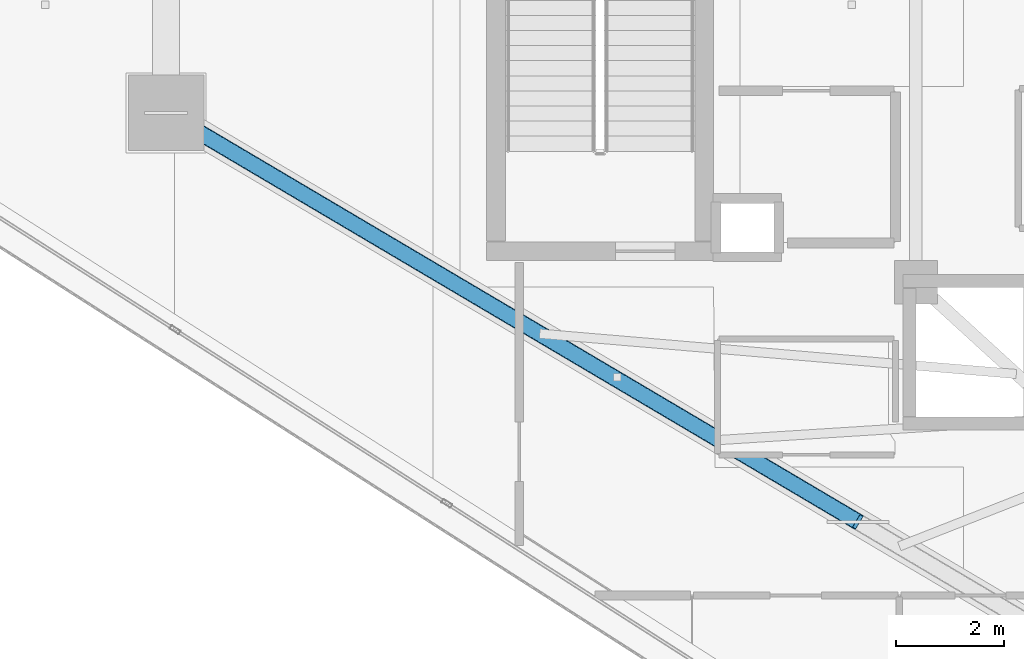
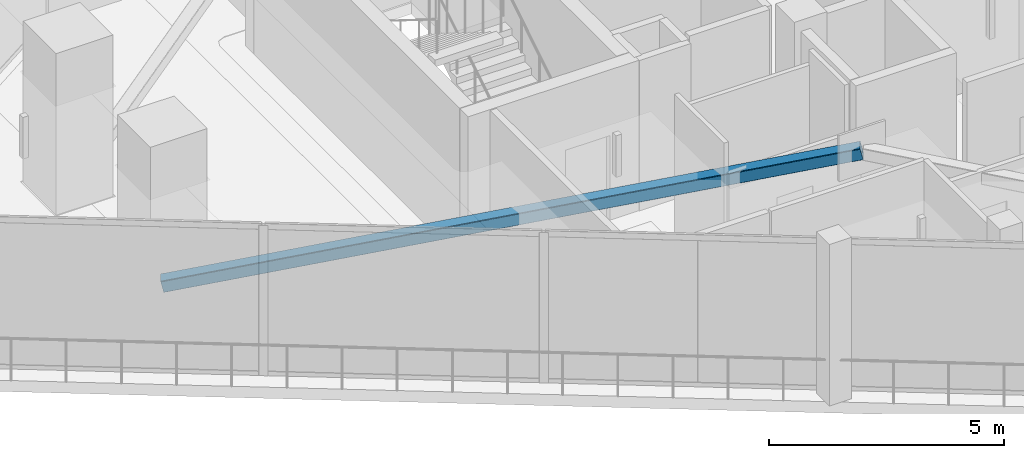
# One storey, part 6 of 30: 1 member.
"""IFC4 building model written with IfcOpenShell, lengths in metres."""

import ifcopenshell
import ifcopenshell.guid

model = None  # the IFC model being written
_history = None  # IfcOwnerHistory: only IFC2X3 demands one
_inside = {}  # id of a spatial element -> (the spatial element, [elements in it])
_under = {}  # id of a project, library or spatial element -> (it, [spatial elements below it])
_declared = {}  # id of a project -> (the project, [libraries it declares])
_typed = {}  # id of a type object -> (the type object, [elements of that type])
_made_of = {}  # id of a material, layer set ... -> (it, [elements and type objects made of it])


def new_model(schema):
    """Start an empty IFC model of exactly this schema.

    Asked for "IFC4X3", IfcOpenShell would pick the latest addendum, in which some entities
    have other attributes; the version numbers below select the first issue.
    IFC2X3 requires an IfcOwnerHistory on every rooted entity: one is made here for all.
    """
    global model, _history
    if schema == "IFC4X3":
        model = ifcopenshell.file(schema_version=(4, 3, 0, 0))
    else:
        model = ifcopenshell.file(schema=schema)
    _inside.clear()
    _under.clear()
    _declared.clear()
    _typed.clear()
    _made_of.clear()
    _history = None
    if model.schema == "IFC2X3":
        org = make("IfcOrganization", Name="unknown")
        user = make(
            "IfcPersonAndOrganization",
            ThePerson=make("IfcPerson", FamilyName="unknown"),
            TheOrganization=org,
        )
        app = make(
            "IfcApplication",
            ApplicationDeveloper=org,
            Version="unknown",
            ApplicationFullName="unknown",
            ApplicationIdentifier="unknown",
        )
        _history = make(
            "IfcOwnerHistory",
            OwningUser=user,
            OwningApplication=app,
            ChangeAction="ADDED",
            CreationDate=0,
        )
    return model


def make(cls, **values):
    """One entity of the class cls with the attributes given. An attribute that is None is left unset."""
    return model.create_entity(
        cls, **{name: value for name, value in values.items() if value is not None}
    )


def rooted(cls, **values):
    """An entity with a GlobalId (a new one), such as an element, a storey or a relation."""
    return make(cls, GlobalId=ifcopenshell.guid.new(), OwnerHistory=_history, **values)


def si_unit(unit_type, name, prefix=None):
    """IfcSIUnit, for example si_unit("LENGTHUNIT", "METRE", prefix="MILLI")."""
    return make("IfcSIUnit", UnitType=unit_type, Prefix=prefix, Name=name)


def assignment(units):
    """IfcUnitAssignment: the units of a project."""
    return None if units is None else make("IfcUnitAssignment", Units=units)


def point(xyz):
    """IfcCartesianPoint."""
    return None if xyz is None else make("IfcCartesianPoint", Coordinates=xyz)


def direction(xyz):
    """IfcDirection."""
    return None if xyz is None else make("IfcDirection", DirectionRatios=xyz)


def frame(location, z_axis=None, x_axis=None):
    """IfcAxis2Placement3D, a coordinate frame: its origin and axes. An axis left out is left unset."""
    return make(
        "IfcAxis2Placement3D",
        Location=point(location),
        Axis=direction(z_axis),
        RefDirection=direction(x_axis),
    )


def frame_2d(location, x_axis=None):
    """IfcAxis2Placement2D, a coordinate frame in the plane: its origin and x axis."""
    return make(
        "IfcAxis2Placement2D", Location=point(location), RefDirection=direction(x_axis)
    )


def origin():
    """The frame at (0, 0, 0) with its axes left unset."""
    return frame((0.0, 0.0, 0.0))


def origin_2d():
    """The frame at (0, 0) in the plane with its x axis left unset."""
    return frame_2d((0.0, 0.0))


def place(relative_to, where):
    """IfcLocalPlacement: puts the frame where relative to a parent placement (None: the world)."""
    return make(
        "IfcLocalPlacement", PlacementRelTo=relative_to, RelativePlacement=where
    )


def context(
    kind, dimensions, precision=None, world=None, true_north=None, identifier=None
):
    """IfcGeometricRepresentationContext, for example the 3D "Model" context."""
    return make(
        "IfcGeometricRepresentationContext",
        ContextIdentifier=identifier,
        ContextType=kind,
        CoordinateSpaceDimension=dimensions,
        Precision=precision,
        WorldCoordinateSystem=world,
        TrueNorth=true_north,
    )


def subcontext(parent, identifier, kind, view, scale=None):
    """IfcGeometricRepresentationSubContext, for example "Body" below "Model"."""
    return make(
        "IfcGeometricRepresentationSubContext",
        ContextIdentifier=identifier,
        ContextType=kind,
        ParentContext=parent,
        TargetScale=scale,
        TargetView=view,
    )


def project(units=None, contexts=None):
    """IfcProject with its units and contexts."""
    return rooted(
        "IfcProject",
        Name="project",
        RepresentationContexts=contexts,
        UnitsInContext=assignment(units),
    )


def spatial(cls, under=None, at=None, **own):
    """A site, building, storey or space (cls), placed at a placement, below another one or the project."""
    s = rooted(cls, ObjectPlacement=at, **own)
    if under is not None:
        _under.setdefault(under.id(), (under, []))[1].append(s)
    return s


def profile(cls, at=None, kind="AREA", **sizes):
    """A parametric profile (cls). Its sizes go by their IFC names, for example OverallWidth=200.0."""
    return make(cls, ProfileType=kind, Position=at, **sizes)


def hollow_rectangle(**sizes):
    """IfcRectangleHollowProfileDef."""
    return profile("IfcRectangleHollowProfileDef", **sizes)


def extrude(swept, where, along, depth):
    """IfcExtrudedAreaSolid: the profile swept, set in the frame where, extruded along a direction by depth."""
    return make(
        "IfcExtrudedAreaSolid",
        SweptArea=swept,
        Position=where,
        ExtrudedDirection=direction(along),
        Depth=depth,
    )


def shape(context_of_items, identifier, shape_type, items):
    """IfcShapeRepresentation: the items that make up one representation, for example the "Body"."""
    return make(
        "IfcShapeRepresentation",
        ContextOfItems=context_of_items,
        RepresentationIdentifier=identifier,
        RepresentationType=shape_type,
        Items=items,
    )


def material(Name=None, Category=None):
    """IfcMaterial."""
    return make("IfcMaterial", Name=Name, Category=Category)


def material_profile(
    of_material, cross_section, Name=None, Category=None, Priority=None
):
    """IfcMaterialProfile: a cross section and its material."""
    return make(
        "IfcMaterialProfile",
        Name=Name,
        Material=of_material,
        Profile=cross_section,
        Priority=Priority,
        Category=Category,
    )


def profile_set(profiles, Name=None, composite=None):
    """IfcMaterialProfileSet."""
    return make(
        "IfcMaterialProfileSet",
        Name=Name,
        MaterialProfiles=profiles,
        CompositeProfile=composite,
    )


def made_of(thing, what):
    """Note that an element or type object is made of a material, layer set ...; save() writes the relation."""
    if what is not None:
        _made_of.setdefault(what.id(), (what, []))[1].append(thing)
    return thing


def type_object(cls, material=None, **own):
    """A type object (cls), such as IfcWallType, which elements share."""
    return made_of(rooted(cls, **own), material)


def element(
    cls,
    number,
    at=None,
    inside=None,
    cuts=None,
    type_object=None,
    material=None,
    context=None,
    identifier="Body",
    shape_type=None,
    held_by="IfcProductDefinitionShape",
    body=None,
    shapes=None,
    **own,
):
    """One element of the class cls, such as IfcWall. Its Tag is "e" and its number.

    at: its placement. inside: the storey or other place that contains it. cuts: it is an
    opening in that element (IfcRelVoidsElement). A single representation is given by context,
    identifier, shape_type and body (its items); several are given by shapes. held_by: the class
    of the entity that holds the representations. save() writes the other relations.
    """
    e = rooted(cls, Tag="e%d" % number, ObjectPlacement=at, **own)
    if body is not None:
        shapes = [shape(context, identifier, shape_type, body)]
    if shapes is not None:
        e.Representation = make(held_by, Representations=shapes)
    if inside is not None:
        _inside.setdefault(inside.id(), (inside, []))[1].append(e)
    if cuts is not None:
        rooted(
            "IfcRelVoidsElement", RelatingBuildingElement=cuts, RelatedOpeningElement=e
        )
    if type_object is not None:
        _typed.setdefault(type_object.id(), (type_object, []))[1].append(e)
    return made_of(e, material)


def aggregate(whole, parts):
    """IfcRelAggregates: a whole, such as a stair, and the parts it consists of."""
    return rooted("IfcRelAggregates", RelatingObject=whole, RelatedObjects=parts)


def save(model, path):
    """Write the relations noted so far, then the file.

    IfcRelAggregates (storeys below a building ...), IfcRelContainedInSpatialStructure (elements
    in a storey), IfcRelDefinesByType, IfcRelAssociatesMaterial and IfcRelDeclares: one each for
    every whole, place, type object, material and project.
    """
    for whole, parts in _under.values():
        aggregate(whole, parts)
    for where, things in _inside.values():
        rooted(
            "IfcRelContainedInSpatialStructure",
            RelatedElements=things,
            RelatingStructure=where,
        )
    for kind, things in _typed.values():
        rooted("IfcRelDefinesByType", RelatedObjects=things, RelatingType=kind)
    for what, things in _made_of.values():
        rooted("IfcRelAssociatesMaterial", RelatedObjects=things, RelatingMaterial=what)
    for by, libraries in _declared.values():
        rooted("IfcRelDeclares", RelatingContext=by, RelatedDefinitions=libraries)
    model.write(path)


model = new_model("IFC4")

# Units and contexts
model_context = context("Model", 3, precision=1e-05, world=origin(), true_north=direction((0.0, 1.0)))
body_context = subcontext(model_context, "Body", "Model", "MODEL_VIEW")
ifc_project = project(units=[si_unit("LENGTHUNIT", "METRE"), si_unit("AREAUNIT", "SQUARE_METRE"), si_unit("VOLUMEUNIT", "CUBIC_METRE"), si_unit("PLANEANGLEUNIT", "RADIAN"), si_unit("MASSUNIT", "GRAM", prefix="KILO")], contexts=[model_context])

# Site, building, storey
site_placement = place(None, origin())
site = spatial("IfcSite", under=ifc_project, at=site_placement, CompositionType="ELEMENT")
building_placement = place(site_placement, origin())
building = spatial("IfcBuilding", under=site, at=building_placement, Name="Qorvath Tower", CompositionType="ELEMENT")
storey_placement = place(building_placement, frame((0.0, 0.0, 301.800048828125)))
storey = spatial("IfcBuildingStorey", under=building, at=storey_placement, Name="L70", CompositionType="ELEMENT", Elevation=301.800048828125)

# Member
ifc_material = material(Name="Steel ASTM A500 Grade C", Category="steel")
ifc_material_profile = material_profile(ifc_material, hollow_rectangle(XDim=0.3046875, YDim=0.3046875, WallThickness=0.0126953125, InnerFilletRadius=0.0126953125, OuterFilletRadius=0.025390625, at=origin_2d()), Name="HSS 305x305x12.7")
ifc_profile_set = profile_set([ifc_material_profile], Name="Steel ASTM A500 Grade C")
member_type = type_object("IfcMemberType", Name="MEM-MB3", PredefinedType="BRACE", material=ifc_profile_set)
member_placement = place(storey_placement, frame((-44.402587890625, -2.007568359375, 0.0), z_axis=(0.837214286782, -0.495045676303, 0.232383339295), x_axis=(0.508979354273, 0.860778727039, 0.0)))
element("IfcMember", 1, at=member_placement, inside=storey, type_object=member_type, Name="Perimeter Chevron Brace L70-2A", PredefinedType="BRACE", context=body_context, shape_type="SweptSolid", body=[
    extrude(hollow_rectangle(XDim=0.3046875, YDim=0.3046875, WallThickness=0.0126953125, InnerFilletRadius=0.0126953125, OuterFilletRadius=0.025390625, at=origin_2d()), origin(), (0.0, 0.0, 1.0), 15.31982421875),
])

save(model, "model.ifc")
